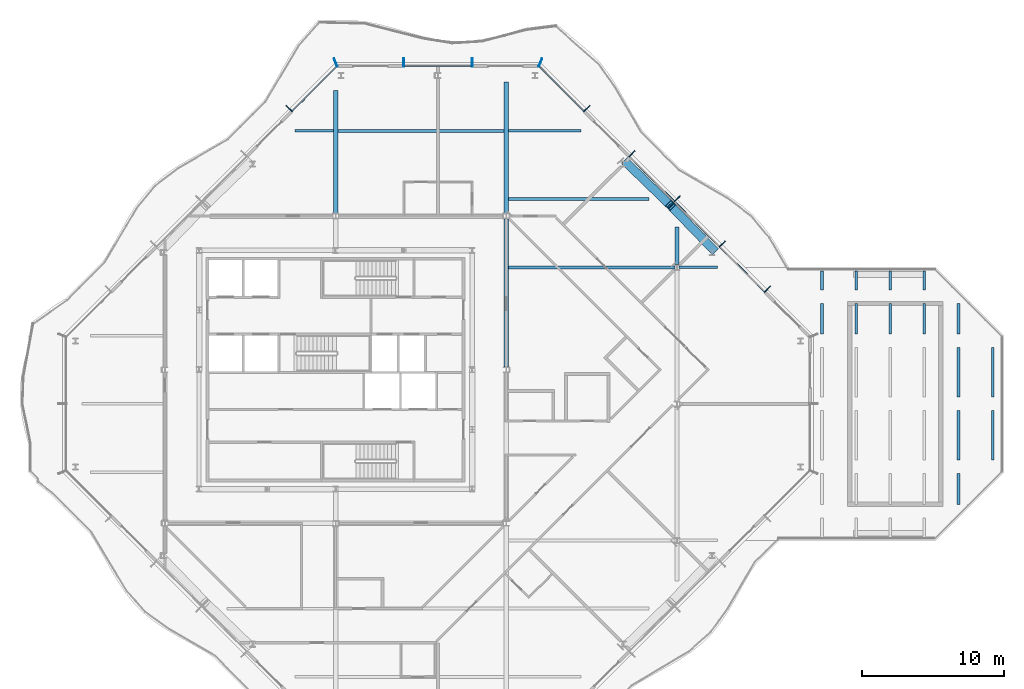
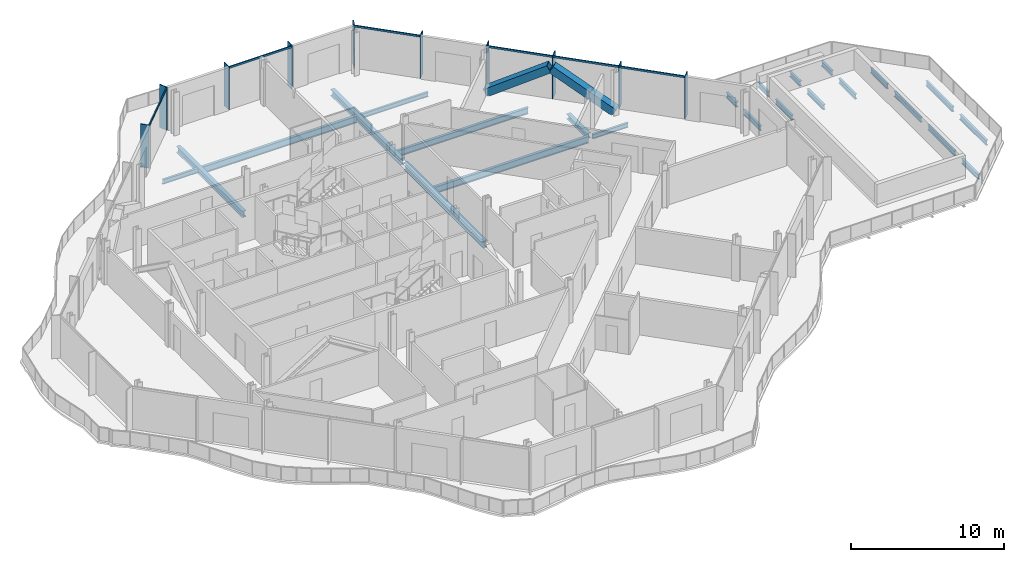
# One storey, part 5 of 16: 24 beams, 18 members, 3 elements without a shape of their own.
"""IFC4 building model written with IfcOpenShell, lengths in metres."""

from ifc_helpers import new_model, si_unit, direction, frame, origin, origin_2d, place, context, subcontext, project, spatial, rectangle, hollow_rectangle, i_section, extrude, material, material_profile, profile_set, type_object, element, aggregate, save


model = new_model("IFC4")

# Units and contexts
model_context = context("Model", 3, precision=1e-05, world=origin(), true_north=direction((0.0, 1.0)))
body_context = subcontext(model_context, "Body", "Model", "MODEL_VIEW")
ifc_project = project(units=[si_unit("LENGTHUNIT", "METRE"), si_unit("AREAUNIT", "SQUARE_METRE"), si_unit("VOLUMEUNIT", "CUBIC_METRE"), si_unit("PLANEANGLEUNIT", "RADIAN"), si_unit("MASSUNIT", "GRAM", prefix="KILO")], contexts=[model_context])

# Site, building, storey
site_placement = place(None, origin())
site = spatial("IfcSite", under=ifc_project, at=site_placement, CompositionType="ELEMENT")
building_placement = place(site_placement, origin())
building = spatial("IfcBuilding", under=site, at=building_placement, Name="Cairn Pilgrim Tower", CompositionType="ELEMENT")
storey_placement = place(building_placement, frame((0.0, 0.0, 267.0)))
storey = spatial("IfcBuildingStorey", under=building, at=storey_placement, Name="L68", CompositionType="ELEMENT", Elevation=267.0)

# Members
ifc_material_1 = material(Name="Structural steel S460M", Category="steel")
ifc_material_profile_1 = material_profile(ifc_material_1, hollow_rectangle(XDim=0.60009765625, YDim=0.60009765625, WallThickness=0.034912109375, at=origin_2d()), Name="BOX 600x600x35")
ifc_profile_set_1 = profile_set([ifc_material_profile_1], Name="Structural steel S460M")
member_type_1 = type_object("IfcMemberType", Name="BOX 600x600x35 BRACE", PredefinedType="BRACE", material=ifc_profile_set_1)
member_1_placement = place(storey_placement, frame((33.7919921875, 10.80908203125, 0.14990234375), z_axis=(-0.59249681125, 0.612514905413, 0.523233236048), x_axis=(-0.718754326239, -0.695264135788, 0.0)))
element("IfcMember", 1, at=member_1_placement, inside=storey, type_object=member_type_1, Name="XB-NE2-NE3-1", PredefinedType="BRACE", context=body_context, shape_type="SweptSolid", body=[
    extrude(hollow_rectangle(XDim=0.60009765625, YDim=0.60009765625, WallThickness=0.034912109375, at=origin_2d()), origin(), (0.0, 0.0, 1.0), 5.036865234375),
])
member_2_placement = place(storey_placement, frame((27.609130859375, 16.9921875, 0.14990234375), z_axis=(0.612497315066, -0.592528264357, 0.523218209713), x_axis=(0.695293517132, 0.718725903967, 0.0)))
element("IfcMember", 2, at=member_2_placement, inside=storey, type_object=member_type_1, Name="XB-NE2-NE3-2", PredefinedType="BRACE", context=body_context, shape_type="SweptSolid", body=[
    extrude(hollow_rectangle(XDim=0.60009765625, YDim=0.60009765625, WallThickness=0.034912109375, at=origin_2d()), origin(), (0.0, 0.0, 1.0), 5.037109375),
])

# Curtain wall, members
ifc_material_2 = material(Name="Aluminium alloy 6063-T6 bronze anodised with Bronze tinted laminated low-E glass 8+16+8.8", Category="aluminium")
curtain_wall_type = type_object("IfcCurtainWallType", Name="CROWN CURTAIN WALL", PredefinedType="NOTDEFINED", material=ifc_material_2)
curtain_wall_1_placement = place(storey_placement, origin())
curtain_wall_1 = element("IfcCurtainWall", 3, at=curtain_wall_1_placement, inside=storey, type_object=curtain_wall_type, Name="Crown Curtain Wall NE", PredefinedType="NOTDEFINED")
ifc_material_3 = material(Name="Aluminium alloy 6063-T6 bronze anodised", Category="aluminium")
ifc_material_profile_2 = material_profile(ifc_material_3, rectangle(XDim=0.60009765625, YDim=0.06005859375, at=origin_2d()), Name="FIN MULLION 60x600 BRONZE")
ifc_profile_set_2 = profile_set([ifc_material_profile_2], Name="Aluminium alloy 6063-T6 bronze anodised")
member_type_2 = type_object("IfcMemberType", Name="FIN MULLION 60x600 BRONZE", PredefinedType="MULLION", material=ifc_profile_set_2)
member_3_placement = place(storey_placement, frame((37.5654296875, 8.06298828125, 0.0), z_axis=(0.0, 0.0, 1.0), x_axis=(0.707106781187, 0.707106781187, 0.0)))
member_3 = element("IfcMember", 4, at=member_3_placement, type_object=member_type_2, Name="Fin mullion NE2", PredefinedType="MULLION", context=body_context, shape_type="SweptSolid", body=[
    extrude(rectangle(XDim=0.60009765625, YDim=0.06005859375, at=origin_2d()), origin(), (0.0, 0.0, 1.0), 3.449951171875),
])
member_4_placement = place(storey_placement, frame((34.3896484375, 11.238525390625, 0.0), z_axis=(0.0, 0.0, 1.0), x_axis=(0.707106781187, 0.707106781187, 0.0)))
member_4 = element("IfcMember", 5, at=member_4_placement, type_object=member_type_2, Name="Fin mullion NE3", PredefinedType="MULLION", context=body_context, shape_type="SweptSolid", body=[
    extrude(rectangle(XDim=0.60009765625, YDim=0.06005859375, at=origin_2d()), origin(), (0.0, 0.0, 1.0), 3.449951171875),
])
member_5_placement = place(storey_placement, frame((31.214111328125, 14.4140625, 0.0), z_axis=(0.0, 0.0, 1.0), x_axis=(0.707106781187, 0.707106781187, 0.0)))
member_5 = element("IfcMember", 6, at=member_5_placement, type_object=member_type_2, Name="Fin mullion NE4", PredefinedType="MULLION", context=body_context, shape_type="SweptSolid", body=[
    extrude(rectangle(XDim=0.60009765625, YDim=0.06005859375, at=origin_2d()), origin(), (0.0, 0.0, 1.0), 3.449951171875),
])
member_6_placement = place(storey_placement, frame((28.03857421875, 17.58984375, 0.0), z_axis=(0.0, 0.0, 1.0), x_axis=(0.707106781187, 0.707106781187, 0.0)))
member_6 = element("IfcMember", 7, at=member_6_placement, type_object=member_type_2, Name="Fin mullion NE5", PredefinedType="MULLION", context=body_context, shape_type="SweptSolid", body=[
    extrude(rectangle(XDim=0.60009765625, YDim=0.06005859375, at=origin_2d()), origin(), (0.0, 0.0, 1.0), 3.449951171875),
])
member_7_placement = place(storey_placement, frame((24.863037109375, 20.765380859375, 0.0), z_axis=(0.0, 0.0, 1.0), x_axis=(0.707106781187, 0.707106781187, 0.0)))
member_7 = element("IfcMember", 8, at=member_7_placement, type_object=member_type_2, Name="Fin mullion NE6", PredefinedType="MULLION", context=body_context, shape_type="SweptSolid", body=[
    extrude(rectangle(XDim=0.60009765625, YDim=0.06005859375, at=origin_2d()), origin(), (0.0, 0.0, 1.0), 3.449951171875),
])

curtain_wall_2_placement = place(storey_placement, origin())
curtain_wall_2 = element("IfcCurtainWall", 9, at=curtain_wall_2_placement, inside=storey, type_object=curtain_wall_type, Name="Crown Curtain Wall N", PredefinedType="NOTDEFINED")
member_8_placement = place(storey_placement, frame((21.599853515625, 23.99951171875, 0.0), z_axis=(0.0, 0.0, 1.0), x_axis=(0.382683432365, 0.923879532511, 0.0)))
member_8 = element("IfcMember", 10, at=member_8_placement, type_object=member_type_2, Name="Fin mullion N1", PredefinedType="MULLION", context=body_context, shape_type="SweptSolid", body=[
    extrude(rectangle(XDim=0.60009765625, YDim=0.06005859375, at=origin_2d()), origin(), (0.0, 0.0, 1.0), 3.449951171875),
])
member_9_placement = place(storey_placement, frame((16.800048828125, 24.02001953125, 0.0), z_axis=(0.0, 0.0, 1.0), x_axis=(0.0, 1.0, 0.0)))
member_9 = element("IfcMember", 11, at=member_9_placement, type_object=member_type_2, Name="Fin mullion N2", PredefinedType="MULLION", context=body_context, shape_type="SweptSolid", body=[
    extrude(rectangle(XDim=0.60009765625, YDim=0.06005859375, at=origin_2d()), origin(), (0.0, 0.0, 1.0), 3.449951171875),
])
member_10_placement = place(storey_placement, frame((12.0, 24.02001953125, 0.0), z_axis=(0.0, 0.0, 1.0), x_axis=(0.0, 1.0, 0.0)))
member_10 = element("IfcMember", 12, at=member_10_placement, type_object=member_type_2, Name="Fin mullion N3", PredefinedType="MULLION", context=body_context, shape_type="SweptSolid", body=[
    extrude(rectangle(XDim=0.60009765625, YDim=0.06005859375, at=origin_2d()), origin(), (0.0, 0.0, 1.0), 3.449951171875),
])

curtain_wall_3_placement = place(storey_placement, origin())
curtain_wall_3 = element("IfcCurtainWall", 13, at=curtain_wall_3_placement, inside=storey, type_object=curtain_wall_type, Name="Crown Curtain Wall NW", PredefinedType="NOTDEFINED")
member_11_placement = place(storey_placement, frame((7.2001953125, 23.99951171875, 0.0), z_axis=(0.0, 0.0, 1.0), x_axis=(-0.382683432365, 0.923879532511, 0.0)))
member_11 = element("IfcMember", 14, at=member_11_placement, type_object=member_type_2, Name="Fin mullion NW1", PredefinedType="MULLION", context=body_context, shape_type="SweptSolid", body=[
    extrude(rectangle(XDim=0.60009765625, YDim=0.06005859375, at=origin_2d()), origin(), (0.0, 0.0, 1.0), 3.449951171875),
])
member_12_placement = place(storey_placement, frame((3.93701171875, 20.765380859375, 0.0), z_axis=(0.0, 0.0, 1.0), x_axis=(-0.707106781187, 0.707106781187, 0.0)))
member_12 = element("IfcMember", 15, at=member_12_placement, type_object=member_type_2, Name="Fin mullion NW2", PredefinedType="MULLION", context=body_context, shape_type="SweptSolid", body=[
    extrude(rectangle(XDim=0.60009765625, YDim=0.06005859375, at=origin_2d()), origin(), (0.0, 0.0, 1.0), 3.449951171875),
])

# Beams
ifc_material_4 = material(Name="Structural steel S355J2", Category="steel")
ifc_material_profile_3 = material_profile(ifc_material_4, i_section(OverallWidth=0.300048828125, OverallDepth=0.39990234375, WebThickness=0.013427734375, FlangeThickness=0.02392578125, FilletRadius=0.027099609375, at=origin_2d()), Name="HEB 400")
ifc_profile_set_3 = profile_set([ifc_material_profile_3], Name="Structural steel S355J2")
beam_type_1 = type_object("IfcBeamType", Name="HEB 400 GIRDER", PredefinedType="BEAM", material=ifc_profile_set_3)
beam_1_placement = place(storey_placement, frame((31.199951171875, 9.797119140625, -0.35009765625), z_axis=(0.0, 1.0, 0.0), x_axis=(-1.0, 0.0, 0.0)))
element("IfcBeam", 16, at=beam_1_placement, inside=storey, type_object=beam_type_1, Name="PG5-4", PredefinedType="BEAM", context=body_context, shape_type="SweptSolid", body=[
    extrude(i_section(OverallWidth=0.300048828125, OverallDepth=0.39990234375, WebThickness=0.013427734375, FlangeThickness=0.02392578125, FilletRadius=0.027099609375, at=origin_2d()), origin(), (0.0, 0.0, 1.0), 2.653076171875),
])
ifc_material_profile_4 = material_profile(ifc_material_4, i_section(OverallWidth=0.300048828125, OverallDepth=0.5, WebThickness=0.014404296875, FlangeThickness=0.028076171875, FilletRadius=0.027099609375, at=origin_2d()), Name="HEB 500")
ifc_profile_set_4 = profile_set([ifc_material_profile_4], Name="Structural steel S355J2")
beam_type_2 = type_object("IfcBeamType", Name="HEB 500 GIRDER", PredefinedType="BEAM", material=ifc_profile_set_4)
beam_2_placement = place(storey_placement, frame((7.199951171875, 13.39697265625, -0.39990234375), z_axis=(0.0, 1.0, 0.0), x_axis=(-1.0, 0.0, 0.0)))
element("IfcBeam", 17, at=beam_2_placement, inside=storey, type_object=beam_type_2, Name="PG3-2", PredefinedType="BEAM", context=body_context, shape_type="SweptSolid", body=[
    extrude(i_section(OverallWidth=0.300048828125, OverallDepth=0.5, WebThickness=0.014404296875, FlangeThickness=0.028076171875, FilletRadius=0.027099609375, at=origin_2d()), origin(), (0.0, 0.0, 1.0), 8.653076171875),
])
beam_3_placement = place(storey_placement, frame((19.199951171875, 13.39697265625, -0.39990234375), z_axis=(0.0, 1.0, 0.0), x_axis=(-1.0, 0.0, 0.0)))
element("IfcBeam", 18, at=beam_3_placement, inside=storey, type_object=beam_type_2, Name="PG4-4", PredefinedType="BEAM", context=body_context, shape_type="SweptSolid", body=[
    extrude(i_section(OverallWidth=0.300048828125, OverallDepth=0.5, WebThickness=0.014404296875, FlangeThickness=0.028076171875, FilletRadius=0.027099609375, at=origin_2d()), origin(), (0.0, 0.0, 1.0), 9.23291015625),
])
ifc_material_profile_5 = material_profile(ifc_material_4, i_section(OverallWidth=0.300048828125, OverallDepth=0.60009765625, WebThickness=0.015380859375, FlangeThickness=0.030029296875, FilletRadius=0.027099609375, at=origin_2d()), Name="HEB 600")
ifc_profile_set_5 = profile_set([ifc_material_profile_5], Name="Structural steel S355J2")
beam_type_3 = type_object("IfcBeamType", Name="HEB 600 GIRDER", PredefinedType="BEAM", material=ifc_profile_set_5)
beam_4_placement = place(storey_placement, frame((19.199951171875, 2.596923828125, -0.449951171875), z_axis=(0.0, 1.0, 0.0), x_axis=(-1.0, 0.0, 0.0)))
element("IfcBeam", 19, at=beam_4_placement, inside=storey, type_object=beam_type_3, Name="PG4-3", PredefinedType="BEAM", context=body_context, shape_type="SweptSolid", body=[
    extrude(i_section(OverallWidth=0.300048828125, OverallDepth=0.60009765625, WebThickness=0.015380859375, FlangeThickness=0.030029296875, FilletRadius=0.027099609375, at=origin_2d()), origin(), (0.0, 0.0, 1.0), 10.406005859375),
])
ifc_material_profile_6 = material_profile(ifc_material_4, i_section(OverallWidth=0.169921875, OverallDepth=0.360107421875, WebThickness=0.008056640625, FlangeThickness=0.0126953125, FilletRadius=0.01806640625, at=origin_2d()), Name="IPE 360")
ifc_profile_set_6 = profile_set([ifc_material_profile_6], Name="Structural steel S355J2")
beam_type_4 = type_object("IfcBeamType", Name="IPE 360 SECONDARY BEAM", PredefinedType="JOIST", material=ifc_profile_set_6)
beam_5_placement = place(storey_placement, frame((31.35009765625, 9.60009765625, -0.330078125), z_axis=(1.0, 0.0, 0.0), x_axis=(0.0, 1.0, 0.0)))
element("IfcBeam", 20, at=beam_5_placement, inside=storey, type_object=beam_type_4, Name="SB7-2", PredefinedType="JOIST", context=body_context, shape_type="SweptSolid", body=[
    extrude(i_section(OverallWidth=0.169921875, OverallDepth=0.360107421875, WebThickness=0.008056640625, FlangeThickness=0.0126953125, FilletRadius=0.01806640625, at=origin_2d()), origin(), (0.0, 0.0, 1.0), 2.699951171875),
])
beam_6_placement = place(storey_placement, frame((4.349853515625, 19.199951171875, -0.330078125), z_axis=(1.0, 0.0, 0.0), x_axis=(0.0, 1.0, 0.0)))
element("IfcBeam", 21, at=beam_6_placement, inside=storey, type_object=beam_type_4, Name="SB9-1", PredefinedType="JOIST", context=body_context, shape_type="SweptSolid", body=[
    extrude(i_section(OverallWidth=0.169921875, OverallDepth=0.360107421875, WebThickness=0.008056640625, FlangeThickness=0.0126953125, FilletRadius=0.01806640625, at=origin_2d()), origin(), (0.0, 0.0, 1.0), 2.7001953125),
])
beam_7_placement = place(storey_placement, frame((19.35009765625, 19.199951171875, -0.330078125), z_axis=(1.0, 0.0, 0.0), x_axis=(0.0, 1.0, 0.0)))
element("IfcBeam", 22, at=beam_7_placement, inside=storey, type_object=beam_type_4, Name="SB9-3", PredefinedType="JOIST", context=body_context, shape_type="SweptSolid", body=[
    extrude(i_section(OverallWidth=0.169921875, OverallDepth=0.360107421875, WebThickness=0.008056640625, FlangeThickness=0.0126953125, FilletRadius=0.01806640625, at=origin_2d()), origin(), (0.0, 0.0, 1.0), 5.10009765625),
])
ifc_material_profile_7 = material_profile(ifc_material_4, i_section(OverallWidth=0.179931640625, OverallDepth=0.39990234375, WebThickness=0.008544921875, FlangeThickness=0.013427734375, FilletRadius=0.02099609375, at=origin_2d()), Name="IPE 400")
ifc_profile_set_7 = profile_set([ifc_material_profile_7], Name="Structural steel S355J2")
beam_type_5 = type_object("IfcBeamType", Name="IPE 400 DECK BEAM", PredefinedType="JOIST", material=ifc_profile_set_7)
beam_8_placement = place(storey_placement, frame((41.39990234375, 4.897216796875, -0.35009765625), z_axis=(0.0, 1.0, 0.0), x_axis=(-1.0, 0.0, 0.0)))
element("IfcBeam", 23, at=beam_8_placement, inside=storey, type_object=beam_type_5, Name="PD1-4", PredefinedType="JOIST", context=body_context, shape_type="SweptSolid", body=[
    extrude(i_section(OverallWidth=0.179931640625, OverallDepth=0.39990234375, WebThickness=0.008544921875, FlangeThickness=0.013427734375, FilletRadius=0.02099609375, at=origin_2d()), origin(), (0.0, 0.0, 1.0), 2.172119140625),
])
beam_9_placement = place(storey_placement, frame((41.39990234375, 8.00927734375, -0.35009765625), z_axis=(0.0, 1.0, 0.0), x_axis=(-1.0, 0.0, 0.0)))
element("IfcBeam", 24, at=beam_9_placement, inside=storey, type_object=beam_type_5, Name="PD1-EN", PredefinedType="JOIST", context=body_context, shape_type="SweptSolid", body=[
    extrude(i_section(OverallWidth=0.179931640625, OverallDepth=0.39990234375, WebThickness=0.008544921875, FlangeThickness=0.013427734375, FilletRadius=0.02099609375, at=origin_2d()), origin(), (0.0, 0.0, 1.0), 1.3408203125),
])
beam_10_placement = place(storey_placement, frame((43.800048828125, 4.897216796875, -0.35009765625), z_axis=(0.0, 1.0, 0.0), x_axis=(-1.0, 0.0, 0.0)))
element("IfcBeam", 25, at=beam_10_placement, inside=storey, type_object=beam_type_5, Name="PD2-4", PredefinedType="JOIST", context=body_context, shape_type="SweptSolid", body=[
    extrude(i_section(OverallWidth=0.179931640625, OverallDepth=0.39990234375, WebThickness=0.008544921875, FlangeThickness=0.013427734375, FilletRadius=0.02099609375, at=origin_2d()), origin(), (0.0, 0.0, 1.0), 2.172119140625),
])
beam_11_placement = place(storey_placement, frame((43.800048828125, 8.00927734375, -0.35009765625), z_axis=(0.0, 1.0, 0.0), x_axis=(-1.0, 0.0, 0.0)))
element("IfcBeam", 26, at=beam_11_placement, inside=storey, type_object=beam_type_5, Name="PD2-EN", PredefinedType="JOIST", context=body_context, shape_type="SweptSolid", body=[
    extrude(i_section(OverallWidth=0.179931640625, OverallDepth=0.39990234375, WebThickness=0.008544921875, FlangeThickness=0.013427734375, FilletRadius=0.02099609375, at=origin_2d()), origin(), (0.0, 0.0, 1.0), 1.3408203125),
])
beam_12_placement = place(storey_placement, frame((46.199951171875, 4.897216796875, -0.35009765625), z_axis=(0.0, 1.0, 0.0), x_axis=(-1.0, 0.0, 0.0)))
element("IfcBeam", 27, at=beam_12_placement, inside=storey, type_object=beam_type_5, Name="PD3-4", PredefinedType="JOIST", context=body_context, shape_type="SweptSolid", body=[
    extrude(i_section(OverallWidth=0.179931640625, OverallDepth=0.39990234375, WebThickness=0.008544921875, FlangeThickness=0.013427734375, FilletRadius=0.02099609375, at=origin_2d()), origin(), (0.0, 0.0, 1.0), 2.172119140625),
])
beam_13_placement = place(storey_placement, frame((46.199951171875, 8.00927734375, -0.35009765625), z_axis=(0.0, 1.0, 0.0), x_axis=(-1.0, 0.0, 0.0)))
element("IfcBeam", 28, at=beam_13_placement, inside=storey, type_object=beam_type_5, Name="PD3-EN", PredefinedType="JOIST", context=body_context, shape_type="SweptSolid", body=[
    extrude(i_section(OverallWidth=0.179931640625, OverallDepth=0.39990234375, WebThickness=0.008544921875, FlangeThickness=0.013427734375, FilletRadius=0.02099609375, at=origin_2d()), origin(), (0.0, 0.0, 1.0), 1.3408203125),
])
beam_14_placement = place(storey_placement, frame((48.60009765625, 4.897216796875, -0.35009765625), z_axis=(0.0, 1.0, 0.0), x_axis=(-1.0, 0.0, 0.0)))
element("IfcBeam", 29, at=beam_14_placement, inside=storey, type_object=beam_type_5, Name="PD4-4", PredefinedType="JOIST", context=body_context, shape_type="SweptSolid", body=[
    extrude(i_section(OverallWidth=0.179931640625, OverallDepth=0.39990234375, WebThickness=0.008544921875, FlangeThickness=0.013427734375, FilletRadius=0.02099609375, at=origin_2d()), origin(), (0.0, 0.0, 1.0), 2.172119140625),
])
beam_15_placement = place(storey_placement, frame((48.60009765625, 8.00927734375, -0.35009765625), z_axis=(0.0, 1.0, 0.0), x_axis=(-1.0, 0.0, 0.0)))
element("IfcBeam", 30, at=beam_15_placement, inside=storey, type_object=beam_type_5, Name="PD4-EN", PredefinedType="JOIST", context=body_context, shape_type="SweptSolid", body=[
    extrude(i_section(OverallWidth=0.179931640625, OverallDepth=0.39990234375, WebThickness=0.008544921875, FlangeThickness=0.013427734375, FilletRadius=0.02099609375, at=origin_2d()), origin(), (0.0, 0.0, 1.0), 1.3408203125),
])
beam_16_placement = place(storey_placement, frame((51.0, -7.0693359375, -0.35009765625), z_axis=(0.0, 1.0, 0.0), x_axis=(-1.0, 0.0, 0.0)))
element("IfcBeam", 31, at=beam_16_placement, inside=storey, type_object=beam_type_5, Name="PD5-1", PredefinedType="JOIST", context=body_context, shape_type="SweptSolid", body=[
    extrude(i_section(OverallWidth=0.179931640625, OverallDepth=0.39990234375, WebThickness=0.008544921875, FlangeThickness=0.013427734375, FilletRadius=0.02099609375, at=origin_2d()), origin(), (0.0, 0.0, 1.0), 2.172119140625),
])
for number, where, z_axis, x_axis, name in (
    (32, (51.0, -3.957275390625, -0.35009765625), (0.0, 1.0, 0.0), (-1.0, 0.0, 0.0), "PD5-2"),
    (33, (51.0, 0.469970703125, -0.35009765625), (0.0, 1.0, 0.0), (-1.0, 0.0, 0.0), "PD5-3"),
):
    element("IfcBeam", number, at=place(storey_placement, frame(where, z_axis=z_axis, x_axis=x_axis)), inside=storey, type_object=beam_type_5, Name=name, PredefinedType="JOIST", context=body_context, shape_type="SweptSolid", body=[
        extrude(i_section(OverallWidth=0.179931640625, OverallDepth=0.39990234375, WebThickness=0.008544921875, FlangeThickness=0.013427734375, FilletRadius=0.02099609375, at=origin_2d()), origin(), (0.0, 0.0, 1.0), 3.4873046875),
    ])
beam_17_placement = place(storey_placement, frame((51.0, 4.897216796875, -0.35009765625), z_axis=(0.0, 1.0, 0.0), x_axis=(-1.0, 0.0, 0.0)))
element("IfcBeam", 34, at=beam_17_placement, inside=storey, type_object=beam_type_5, Name="PD5-4", PredefinedType="JOIST", context=body_context, shape_type="SweptSolid", body=[
    extrude(i_section(OverallWidth=0.179931640625, OverallDepth=0.39990234375, WebThickness=0.008544921875, FlangeThickness=0.013427734375, FilletRadius=0.02099609375, at=origin_2d()), origin(), (0.0, 0.0, 1.0), 2.172119140625),
])
for number, where, z_axis, x_axis, name in (
    (35, (53.39990234375, -3.957275390625, -0.35009765625), (0.0, 1.0, 0.0), (-1.0, 0.0, 0.0), "PD6-2"),
    (36, (53.39990234375, 0.469970703125, -0.35009765625), (0.0, 1.0, 0.0), (-1.0, 0.0, 0.0), "PD6-3"),
):
    element("IfcBeam", number, at=place(storey_placement, frame(where, z_axis=z_axis, x_axis=x_axis)), inside=storey, type_object=beam_type_5, Name=name, PredefinedType="JOIST", context=body_context, shape_type="SweptSolid", body=[
        extrude(i_section(OverallWidth=0.179931640625, OverallDepth=0.39990234375, WebThickness=0.008544921875, FlangeThickness=0.013427734375, FilletRadius=0.02099609375, at=origin_2d()), origin(), (0.0, 0.0, 1.0), 3.4873046875),
    ])
ifc_material_profile_8 = material_profile(ifc_material_4, i_section(OverallWidth=0.199951171875, OverallDepth=0.5, WebThickness=0.01025390625, FlangeThickness=0.01611328125, FilletRadius=0.02099609375, at=origin_2d()), Name="IPE 500")
ifc_profile_set_8 = profile_set([ifc_material_profile_8], Name="Structural steel S355J2")
beam_type_6 = type_object("IfcBeamType", Name="IPE 500 SECONDARY BEAM", PredefinedType="JOIST", material=ifc_profile_set_8)
beam_18_placement = place(storey_placement, frame((19.35009765625, 14.39990234375, -0.39990234375), z_axis=(1.0, 0.0, 0.0), x_axis=(0.0, 1.0, 0.0)))
element("IfcBeam", 37, at=beam_18_placement, inside=storey, type_object=beam_type_6, Name="SB8-1", PredefinedType="JOIST", context=body_context, shape_type="SweptSolid", body=[
    extrude(i_section(OverallWidth=0.199951171875, OverallDepth=0.5, WebThickness=0.01025390625, FlangeThickness=0.01611328125, FilletRadius=0.02099609375, at=origin_2d()), origin(), (0.0, 0.0, 1.0), 9.89990234375),
])
ifc_material_profile_9 = material_profile(ifc_material_4, i_section(OverallWidth=0.2099609375, OverallDepth=0.550048828125, WebThickness=0.010986328125, FlangeThickness=0.01708984375, FilletRadius=0.02392578125, at=origin_2d()), Name="IPE 550")
ifc_profile_set_9 = profile_set([ifc_material_profile_9], Name="Structural steel S355J2")
beam_type_7 = type_object("IfcBeamType", Name="IPE 550 SECONDARY BEAM", PredefinedType="JOIST", material=ifc_profile_set_9)
for number, where, z_axis, x_axis, name in (
    (38, (19.35009765625, 9.60009765625, -0.425048828125), (1.0, 0.0, 0.0), (0.0, 1.0, 0.0), "SB7-1"),
    (39, (7.35009765625, 19.199951171875, -0.425048828125), (1.0, 0.0, 0.0), (0.0, 1.0, 0.0), "SB9-2"),
):
    element("IfcBeam", number, at=place(storey_placement, frame(where, z_axis=z_axis, x_axis=x_axis)), inside=storey, type_object=beam_type_7, Name=name, PredefinedType="JOIST", context=body_context, shape_type="SweptSolid", body=[
        extrude(i_section(OverallWidth=0.2099609375, OverallDepth=0.550048828125, WebThickness=0.010986328125, FlangeThickness=0.01708984375, FilletRadius=0.02392578125, at=origin_2d()), origin(), (0.0, 0.0, 1.0), 11.699951171875),
    ])

# Member
ifc_material_profile_10 = material_profile(ifc_material_3, rectangle(XDim=0.080078125, YDim=0.14990234375, at=origin_2d()), Name="TRANSOM 80x150 BRONZE")
ifc_profile_set_10 = profile_set([ifc_material_profile_10], Name="Aluminium alloy 6063-T6 bronze anodised")
member_type_3 = type_object("IfcMemberType", Name="TRANSOM 80x150 BRONZE", PredefinedType="USERDEFINED", material=ifc_profile_set_10)
member_13_placement = place(storey_placement, frame((37.353271484375, 7.893310546875, 3.375), z_axis=(-0.707134329907, 0.707079231393, 0.0), x_axis=(-0.707079231393, -0.707134329907, 0.0)))
member_13 = element("IfcMember", 40, at=member_13_placement, type_object=member_type_3, Name="Transom NE2", ObjectType="TRANSOM", PredefinedType="USERDEFINED", context=body_context, shape_type="SweptSolid", body=[
    extrude(rectangle(XDim=0.080078125, YDim=0.14990234375, at=origin_2d()), origin(), (0.0, 0.0, 1.0), 4.430908203125),
])

member_14_placement = place(storey_placement, frame((34.177490234375, 11.06884765625, 3.375), z_axis=(-0.707106781187, 0.707106781187, 0.0), x_axis=(-0.707106781187, -0.707106781187, 0.0)))
member_14 = element("IfcMember", 41, at=member_14_placement, type_object=member_type_3, Name="Transom NE3", ObjectType="TRANSOM", PredefinedType="USERDEFINED", context=body_context, shape_type="SweptSolid", body=[
    extrude(rectangle(XDim=0.080078125, YDim=0.14990234375, at=origin_2d()), origin(), (0.0, 0.0, 1.0), 4.430908203125),
])

member_15_placement = place(storey_placement, frame((31.001953125, 14.244384765625, 3.375), z_axis=(-0.707079231393, 0.707134329907, 0.0), x_axis=(-0.707134329907, -0.707079231393, 0.0)))
member_15 = element("IfcMember", 42, at=member_15_placement, type_object=member_type_3, Name="Transom NE4", ObjectType="TRANSOM", PredefinedType="USERDEFINED", context=body_context, shape_type="SweptSolid", body=[
    extrude(rectangle(XDim=0.080078125, YDim=0.14990234375, at=origin_2d()), origin(), (0.0, 0.0, 1.0), 4.430908203125),
])

member_16_placement = place(storey_placement, frame((24.65087890625, 20.595703125, 3.375), z_axis=(-0.707134392299, 0.707079168996, 0.0), x_axis=(-0.707079168996, -0.707134392299, 0.0)))
member_16 = element("IfcMember", 43, at=member_16_placement, type_object=member_type_3, Name="Transom NE6", ObjectType="TRANSOM", PredefinedType="USERDEFINED", context=body_context, shape_type="SweptSolid", body=[
    extrude(rectangle(XDim=0.080078125, YDim=0.14990234375, at=origin_2d()), origin(), (0.0, 0.0, 1.0), 4.4208984375),
])

aggregate(curtain_wall_1, [member_3, member_4, member_5, member_6, member_7, member_13, member_14, member_15, member_16])

member_17_placement = place(storey_placement, frame((16.77001953125, 23.75, 3.375), z_axis=(-1.0, 0.0, 0.0), x_axis=(0.0, -1.0, 0.0)))
member_17 = element("IfcMember", 44, at=member_17_placement, type_object=member_type_3, Name="Transom N2", ObjectType="TRANSOM", PredefinedType="USERDEFINED", context=body_context, shape_type="SweptSolid", body=[
    extrude(rectangle(XDim=0.080078125, YDim=0.14990234375, at=origin_2d()), origin(), (0.0, 0.0, 1.0), 4.739990234375),
])

aggregate(curtain_wall_2, [member_8, member_9, member_10, member_17])

member_18_placement = place(storey_placement, frame((7.275390625, 23.7216796875, 3.375), z_axis=(-0.707134392299, -0.707079168996, 0.0), x_axis=(0.707079168996, -0.707134392299, 0.0)))
member_18 = element("IfcMember", 45, at=member_18_placement, type_object=member_type_3, Name="Transom NW1", ObjectType="TRANSOM", PredefinedType="USERDEFINED", context=body_context, shape_type="SweptSolid", body=[
    extrude(rectangle(XDim=0.080078125, YDim=0.14990234375, at=origin_2d()), origin(), (0.0, 0.0, 1.0), 4.4208984375),
])

aggregate(curtain_wall_3, [member_11, member_12, member_18])

save(model, "model.ifc")
